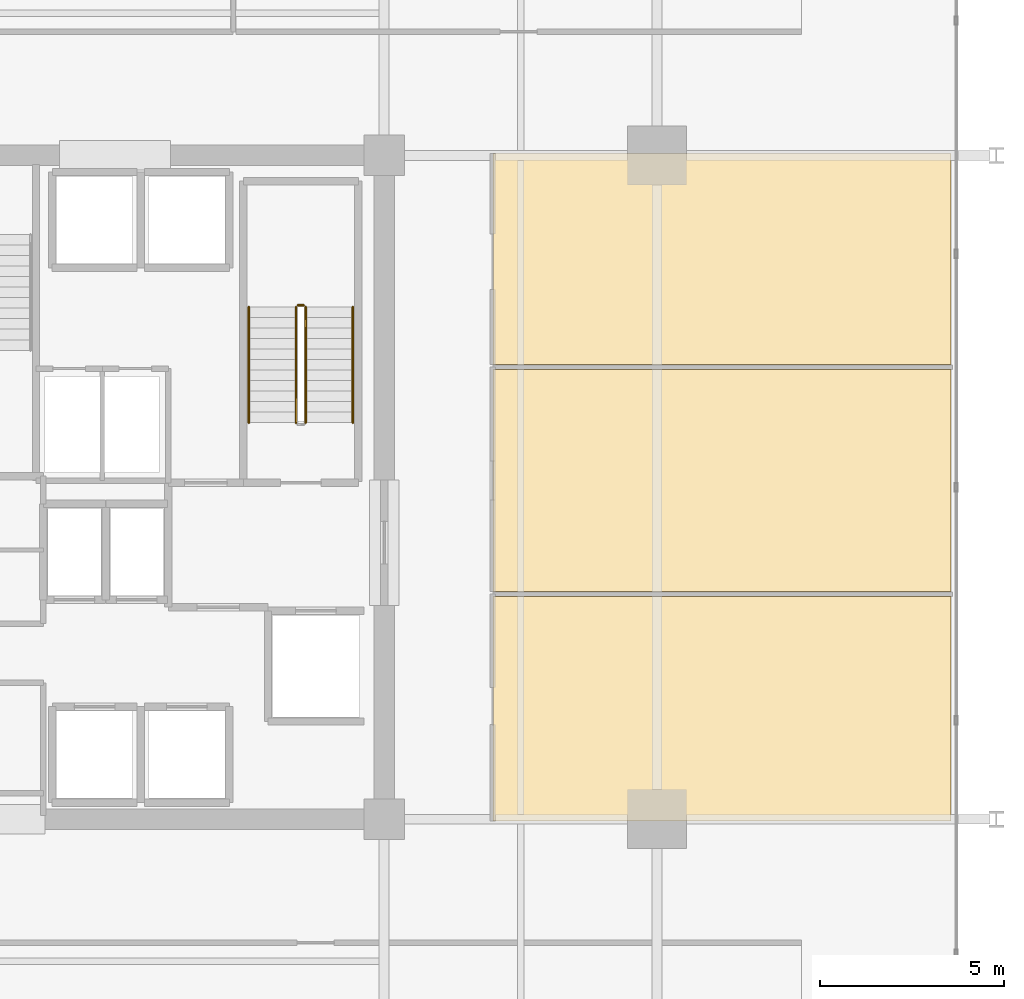
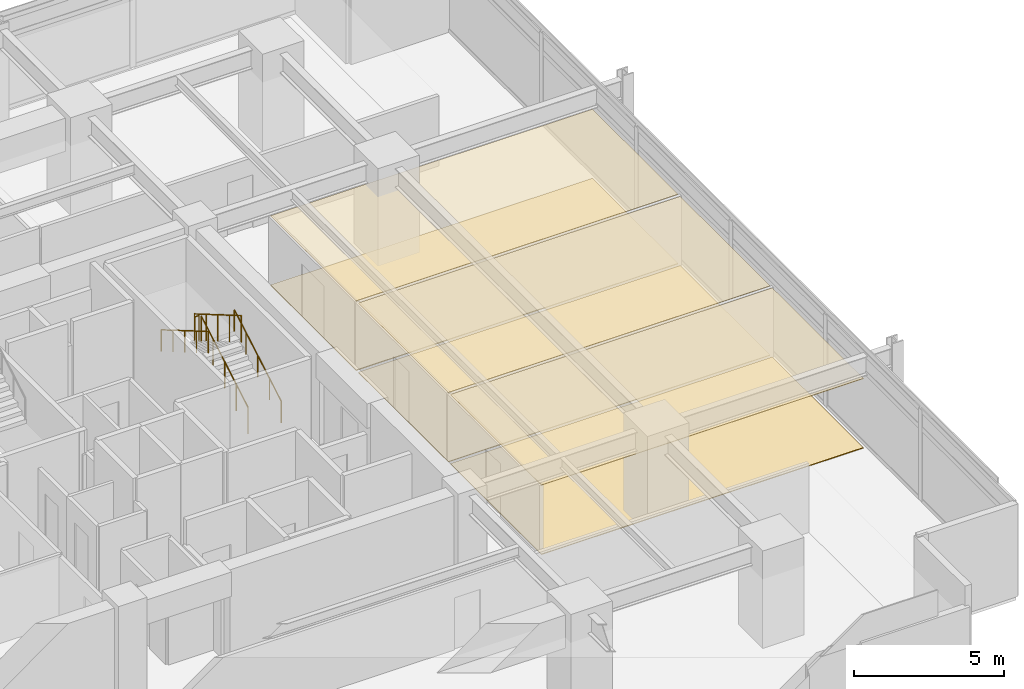
# One storey, part 22 of 24: 6 coverings, 5 railings.
"""IFC4 building model written with IfcOpenShell, lengths in metres."""

from ifc_helpers import new_model, si_unit, direction, frame, origin, origin_2d, place, context, subcontext, project, spatial, polyline, circle, outline, extrude, material, layer, layer_set, type_object, element, save


model = new_model("IFC4")

# Units and contexts
model_context = context("Model", 3, precision=1e-05, world=origin(), true_north=direction((0.0, 1.0)))
body_context = subcontext(model_context, "Body", "Model", "MODEL_VIEW")
ifc_project = project(units=[si_unit("LENGTHUNIT", "METRE"), si_unit("AREAUNIT", "SQUARE_METRE"), si_unit("VOLUMEUNIT", "CUBIC_METRE"), si_unit("PLANEANGLEUNIT", "RADIAN"), si_unit("MASSUNIT", "GRAM", prefix="KILO")], contexts=[model_context])

# Site, building, storey
site_placement = place(None, origin())
site = spatial("IfcSite", under=ifc_project, at=site_placement, CompositionType="ELEMENT")
building_placement = place(site_placement, origin())
building = spatial("IfcBuilding", under=site, at=building_placement, Name="Kovane Verandah Tower", CompositionType="ELEMENT")
storey_placement = place(building_placement, frame((0.0, 0.0, 144.39990234375)))
storey = spatial("IfcBuildingStorey", under=building, at=storey_placement, Name="L33", CompositionType="ELEMENT", Elevation=144.39990234375)

# Coverings
ifc_material_1 = material(Name="Perforated Acoustic Mineral-Fibre Ceiling Tile", Category="gypsum")
ifc_layer_1 = layer(ifc_material_1, 0.02490234375)
ifc_layer_set_1 = layer_set([ifc_layer_1], Name="Perforated Acoustic Mineral-Fibre Ceiling Tile")
covering_type_1 = type_object("IfcCoveringType", Name="CV-CEIL-25", PredefinedType="CEILING", material=ifc_layer_set_1)
covering_1_placement = place(storey_placement, frame((0.0, 0.0, 2.8251953125)))
element("IfcCovering", 1, at=covering_1_placement, inside=storey, type_object=covering_type_1, Name="L33 Open Plan Office E1 Acoustic Ceiling", PredefinedType="CEILING", context=body_context, shape_type="SweptSolid", body=[
    extrude(outline(polyline([(53.949951171875, 18.449951171875), (66.36376953125, 18.449951171875), (66.36376953125, 24.533935546875), (53.949951171875, 24.533935546875), (53.949951171875, 18.449951171875)])), origin(), (0.0, 0.0, 1.0), 0.02490234375),
])
covering_2_placement = place(storey_placement, frame((0.0, 0.0, 2.8251953125)))
element("IfcCovering", 2, at=covering_2_placement, inside=storey, type_object=covering_type_1, Name="L33 Executive Office E2 Acoustic Ceiling", PredefinedType="CEILING", context=body_context, shape_type="SweptSolid", body=[
    extrude(outline(polyline([(53.949951171875, 24.674072265625), (66.36376953125, 24.674072265625), (66.36376953125, 30.68798828125), (53.949951171875, 30.68798828125), (53.949951171875, 24.674072265625)])), origin(), (0.0, 0.0, 1.0), 0.02490234375),
])
covering_3_placement = place(storey_placement, frame((0.0, 0.0, 2.8251953125)))
element("IfcCovering", 3, at=covering_3_placement, inside=storey, type_object=covering_type_1, Name="L33 Client Boardroom E3 Acoustic Ceiling", PredefinedType="CEILING", context=body_context, shape_type="SweptSolid", body=[
    extrude(outline(polyline([(53.949951171875, 30.827880859375), (66.36376953125, 30.827880859375), (66.36376953125, 36.550048828125), (53.949951171875, 36.550048828125), (53.949951171875, 30.827880859375)])), origin(), (0.0, 0.0, 1.0), 0.02490234375),
])
ifc_material_2 = material(Name="Polished Terrazzo and Raised-Access Carpet Tile Finish", Category="concrete")
ifc_layer_2 = layer(ifc_material_2, 0.030029296875)
ifc_layer_set_2 = layer_set([ifc_layer_2], Name="Polished Terrazzo and Raised-Access Carpet Tile Finish")
covering_type_2 = type_object("IfcCoveringType", Name="CV-FLOR-30", PredefinedType="FLOORING", material=ifc_layer_set_2)
covering_4_placement = place(storey_placement, origin())
element("IfcCovering", 4, at=covering_4_placement, inside=storey, type_object=covering_type_2, Name="L33 Open Plan Office E1 Floor Finish", PredefinedType="FLOORING", context=body_context, shape_type="SweptSolid", body=[
    extrude(outline(polyline([(53.949951171875, 18.449951171875), (66.36376953125, 18.449951171875), (66.36376953125, 24.533935546875), (53.949951171875, 24.533935546875), (53.949951171875, 18.449951171875)])), origin(), (0.0, 0.0, 1.0), 0.030029296875),
])
covering_5_placement = place(storey_placement, origin())
element("IfcCovering", 5, at=covering_5_placement, inside=storey, type_object=covering_type_2, Name="L33 Executive Office E2 Floor Finish", PredefinedType="FLOORING", context=body_context, shape_type="SweptSolid", body=[
    extrude(outline(polyline([(53.949951171875, 24.674072265625), (66.36376953125, 24.674072265625), (66.36376953125, 30.68798828125), (53.949951171875, 30.68798828125), (53.949951171875, 24.674072265625)])), origin(), (0.0, 0.0, 1.0), 0.030029296875),
])
covering_6_placement = place(storey_placement, origin())
element("IfcCovering", 6, at=covering_6_placement, inside=storey, type_object=covering_type_2, Name="L33 Client Boardroom E3 Floor Finish", PredefinedType="FLOORING", context=body_context, shape_type="SweptSolid", body=[
    extrude(outline(polyline([(53.949951171875, 30.827880859375), (66.36376953125, 30.827880859375), (66.36376953125, 36.550048828125), (53.949951171875, 36.550048828125), (53.949951171875, 30.827880859375)])), origin(), (0.0, 0.0, 1.0), 0.030029296875),
])

# Railings
ifc_material_3 = material(Name="Brushed Stainless Steel Handrail", Category="steel")
railing_type_1 = type_object("IfcRailingType", Name="RL-HAND-920", PredefinedType="HANDRAIL", material=ifc_material_3)
railing_1_placement = place(storey_placement, frame((50.14990234375, 29.25, 0.166748046875)))
element("IfcRailing", 7, at=railing_1_placement, inside=storey, type_object=railing_type_1, Name="L33 ST-02 stair handrail 1", PredefinedType="HANDRAIL", context=body_context, shape_type="SweptSolid", body=[
    extrude(circle(Radius=0.02392578125, at=origin_2d()), frame((0.0, 0.0, 0.8759765625), z_axis=(0.0, 0.863239559939, 0.504794475164), x_axis=(-1.0, 0.0, 0.0)), (0.0, 0.0, 1.0), 3.631591796875),
    extrude(circle(Radius=0.02099609375, at=origin_2d()), origin(), (0.0, 0.0, 1.0), 0.851806640625),
    extrude(circle(Radius=0.02099609375, at=origin_2d()), frame((0.0, 0.78369140625, 0.458251953125)), (0.0, 0.0, 1.0), 0.851806640625),
    extrude(circle(Radius=0.02099609375, at=origin_2d()), frame((0.0, 1.5673828125, 0.91650390625)), (0.0, 0.0, 1.0), 0.851806640625),
    extrude(circle(Radius=0.02099609375, at=origin_2d()), frame((0.0, 2.351318359375, 1.375)), (0.0, 0.0, 1.0), 0.851806640625),
    extrude(circle(Radius=0.02099609375, at=origin_2d()), frame((0.0, 3.135009765625, 1.833251953125)), (0.0, 0.0, 1.0), 0.851806640625),
])
railing_2_placement = place(storey_placement, frame((47.330078125, 32.385009765625, 2.166748046875)))
element("IfcRailing", 8, at=railing_2_placement, inside=storey, type_object=railing_type_1, Name="L33 ST-02 stair handrail 2", PredefinedType="HANDRAIL", context=body_context, shape_type="SweptSolid", body=[
    extrude(circle(Radius=0.02392578125, at=origin_2d()), frame((0.0, 0.0, 0.8759765625), z_axis=(0.0, -0.863239559939, 0.504794475164), x_axis=(1.0, 0.0, 0.0)), (0.0, 0.0, 1.0), 3.631591796875),
    extrude(circle(Radius=0.02099609375, at=origin_2d()), origin(), (0.0, 0.0, 1.0), 0.851806640625),
    extrude(circle(Radius=0.02099609375, at=origin_2d()), frame((0.0, -0.78369140625, 0.458251953125)), (0.0, 0.0, 1.0), 0.851806640625),
    extrude(circle(Radius=0.02099609375, at=origin_2d()), frame((0.0, -1.5673828125, 0.91650390625)), (0.0, 0.0, 1.0), 0.851806640625),
    extrude(circle(Radius=0.02099609375, at=origin_2d()), frame((0.0, -2.351318359375, 1.375)), (0.0, 0.0, 1.0), 0.851806640625),
    extrude(circle(Radius=0.02099609375, at=origin_2d()), frame((0.0, -3.135009765625, 1.833251953125)), (0.0, 0.0, 1.0), 0.851806640625),
])
ifc_material_4 = material(Name="Painted Steel Stairwell Guardrail", Category="steel")
railing_type_2 = type_object("IfcRailingType", Name="RL-STGUARD-1120", PredefinedType="GUARDRAIL", material=ifc_material_4)
railing_3_placement = place(storey_placement, frame((48.8701171875, 29.25, 0.166748046875)))
element("IfcRailing", 9, at=railing_3_placement, inside=storey, type_object=railing_type_2, Name="L33 ST-02 stair guard 1", PredefinedType="GUARDRAIL", context=body_context, shape_type="SweptSolid", body=[
    extrude(circle(Radius=0.02392578125, at=origin_2d()), frame((0.0, 0.0, 1.076171875), z_axis=(0.0, 0.863239559939, 0.504794475164), x_axis=(-1.0, 0.0, 0.0)), (0.0, 0.0, 1.0), 3.631591796875),
    extrude(circle(Radius=0.02099609375, at=origin_2d()), origin(), (0.0, 0.0, 1.0), 1.052001953125),
    extrude(circle(Radius=0.02099609375, at=origin_2d()), frame((0.0, 0.78369140625, 0.458251953125)), (0.0, 0.0, 1.0), 1.052001953125),
    extrude(circle(Radius=0.02099609375, at=origin_2d()), frame((0.0, 1.5673828125, 0.91650390625)), (0.0, 0.0, 1.0), 1.052001953125),
    extrude(circle(Radius=0.02099609375, at=origin_2d()), frame((0.0, 2.351318359375, 1.375)), (0.0, 0.0, 1.0), 1.052001953125),
    extrude(circle(Radius=0.02099609375, at=origin_2d()), frame((0.0, 3.135009765625, 1.833251953125)), (0.0, 0.0, 1.0), 1.052001953125),
])
railing_4_placement = place(storey_placement, frame((48.820068359375, 32.43505859375, 2.0)))
element("IfcRailing", 10, at=railing_4_placement, inside=storey, type_object=railing_type_2, Name="L33 ST-02 stair guard 2", PredefinedType="GUARDRAIL", context=body_context, shape_type="SweptSolid", body=[
    extrude(circle(Radius=0.02392578125, at=origin_2d()), frame((0.0, 0.0, 1.076171875), z_axis=(-1.0, 0.0, 0.0), x_axis=(0.0, -1.0, 0.0)), (0.0, 0.0, 1.0), 0.16015625),
    extrude(circle(Radius=0.02099609375, at=origin_2d()), origin(), (0.0, 0.0, 1.0), 1.052001953125),
    extrude(circle(Radius=0.02099609375, at=origin_2d()), frame((-0.16015625, 0.0, 0.0)), (0.0, 0.0, 1.0), 1.052001953125),
])
railing_5_placement = place(storey_placement, frame((48.610107421875, 32.385009765625, 2.166748046875)))
element("IfcRailing", 11, at=railing_5_placement, inside=storey, type_object=railing_type_2, Name="L33 ST-02 stair guard 3", PredefinedType="GUARDRAIL", context=body_context, shape_type="SweptSolid", body=[
    extrude(circle(Radius=0.02392578125, at=origin_2d()), frame((0.0, 0.0, 1.076171875), z_axis=(0.0, -0.863239559939, 0.504794475164), x_axis=(1.0, 0.0, 0.0)), (0.0, 0.0, 1.0), 3.631591796875),
    extrude(circle(Radius=0.02099609375, at=origin_2d()), origin(), (0.0, 0.0, 1.0), 1.052001953125),
    extrude(circle(Radius=0.02099609375, at=origin_2d()), frame((0.0, -0.78369140625, 0.458251953125)), (0.0, 0.0, 1.0), 1.052001953125),
    extrude(circle(Radius=0.02099609375, at=origin_2d()), frame((0.0, -1.5673828125, 0.91650390625)), (0.0, 0.0, 1.0), 1.052001953125),
    extrude(circle(Radius=0.02099609375, at=origin_2d()), frame((0.0, -2.351318359375, 1.375)), (0.0, 0.0, 1.0), 1.052001953125),
    extrude(circle(Radius=0.02099609375, at=origin_2d()), frame((0.0, -3.135009765625, 1.833251953125)), (0.0, 0.0, 1.0), 1.052001953125),
])

save(model, "model.ifc")
